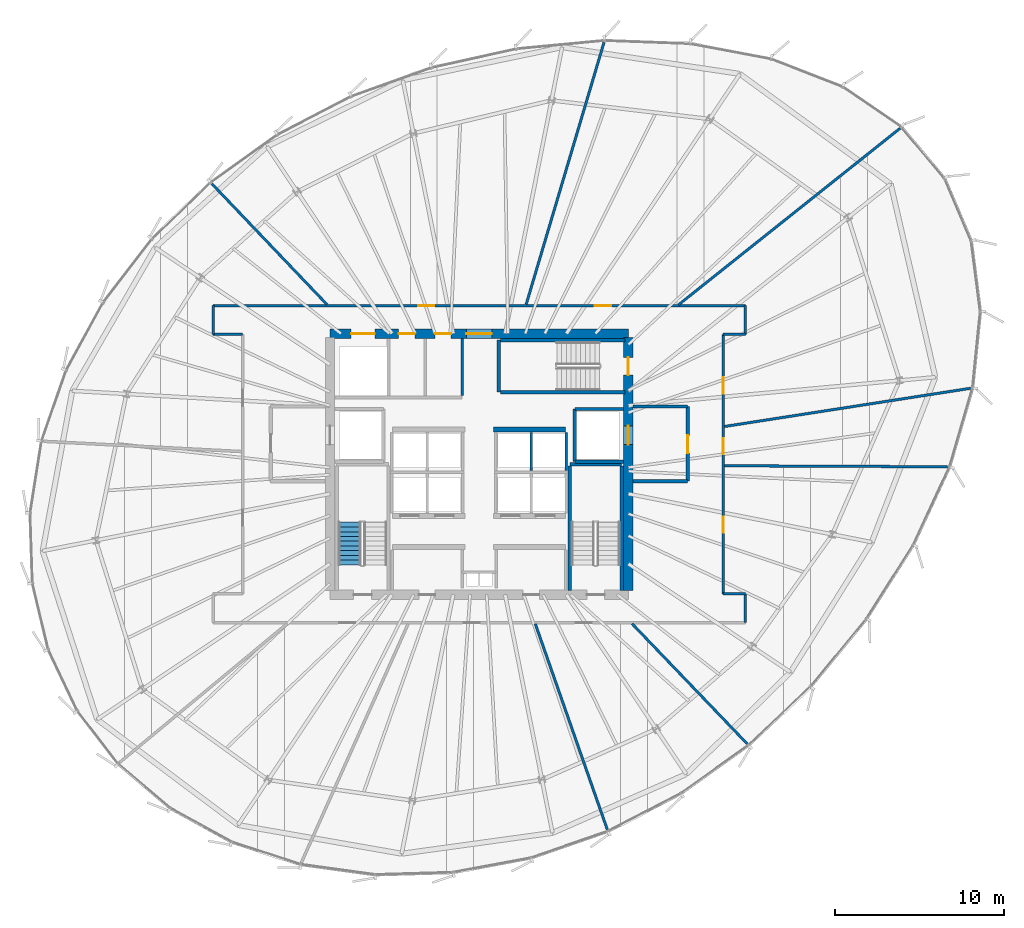
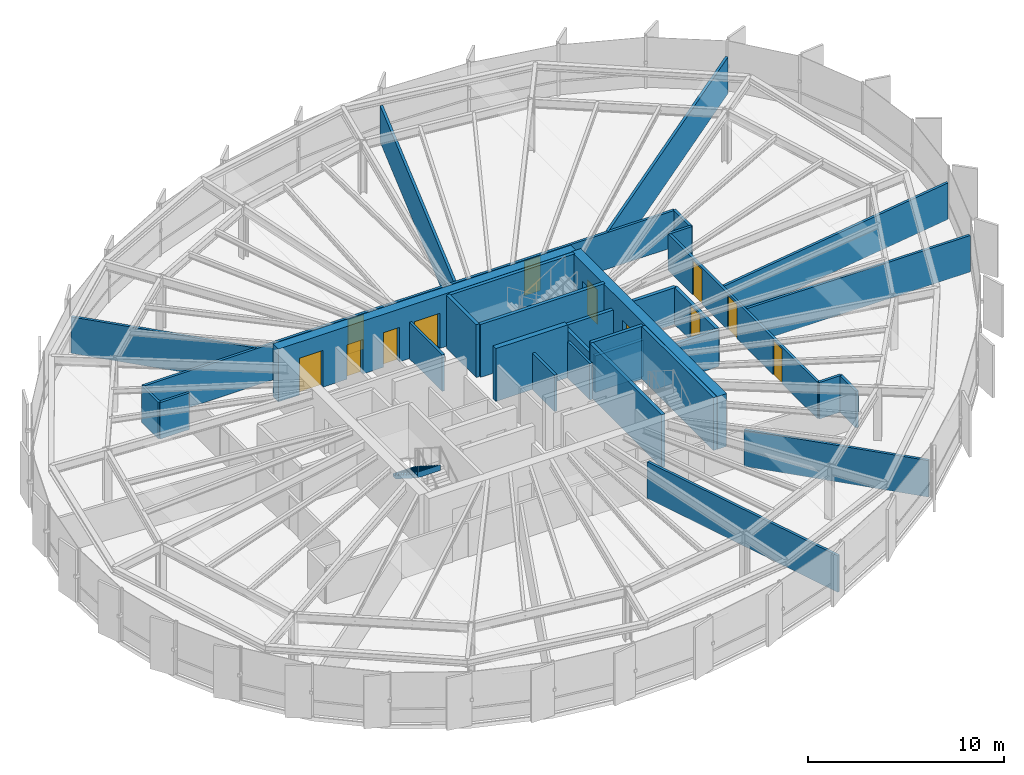
# One storey, part 27 of 32: 33 walls, 12 doors, 1 stair flight, 12 openings, 1 element without a shape of its own.
"""IFC4 building model written with IfcOpenShell, lengths in metres."""

import ifcopenshell
import ifcopenshell.guid

model = None  # the IFC model being written
_history = None  # IfcOwnerHistory: only IFC2X3 demands one
_inside = {}  # id of a spatial element -> (the spatial element, [elements in it])
_under = {}  # id of a project, library or spatial element -> (it, [spatial elements below it])
_declared = {}  # id of a project -> (the project, [libraries it declares])
_typed = {}  # id of a type object -> (the type object, [elements of that type])
_made_of = {}  # id of a material, layer set ... -> (it, [elements and type objects made of it])


def new_model(schema):
    """Start an empty IFC model of exactly this schema.

    Asked for "IFC4X3", IfcOpenShell would pick the latest addendum, in which some entities
    have other attributes; the version numbers below select the first issue.
    IFC2X3 requires an IfcOwnerHistory on every rooted entity: one is made here for all.
    """
    global model, _history
    if schema == "IFC4X3":
        model = ifcopenshell.file(schema_version=(4, 3, 0, 0))
    else:
        model = ifcopenshell.file(schema=schema)
    _inside.clear()
    _under.clear()
    _declared.clear()
    _typed.clear()
    _made_of.clear()
    _history = None
    if model.schema == "IFC2X3":
        org = make("IfcOrganization", Name="unknown")
        user = make(
            "IfcPersonAndOrganization",
            ThePerson=make("IfcPerson", FamilyName="unknown"),
            TheOrganization=org,
        )
        app = make(
            "IfcApplication",
            ApplicationDeveloper=org,
            Version="unknown",
            ApplicationFullName="unknown",
            ApplicationIdentifier="unknown",
        )
        _history = make(
            "IfcOwnerHistory",
            OwningUser=user,
            OwningApplication=app,
            ChangeAction="ADDED",
            CreationDate=0,
        )
    return model


def make(cls, **values):
    """One entity of the class cls with the attributes given. An attribute that is None is left unset."""
    return model.create_entity(
        cls, **{name: value for name, value in values.items() if value is not None}
    )


def rooted(cls, **values):
    """An entity with a GlobalId (a new one), such as an element, a storey or a relation."""
    return make(cls, GlobalId=ifcopenshell.guid.new(), OwnerHistory=_history, **values)


def si_unit(unit_type, name, prefix=None):
    """IfcSIUnit, for example si_unit("LENGTHUNIT", "METRE", prefix="MILLI")."""
    return make("IfcSIUnit", UnitType=unit_type, Prefix=prefix, Name=name)


def assignment(units):
    """IfcUnitAssignment: the units of a project."""
    return None if units is None else make("IfcUnitAssignment", Units=units)


def point(xyz):
    """IfcCartesianPoint."""
    return None if xyz is None else make("IfcCartesianPoint", Coordinates=xyz)


def direction(xyz):
    """IfcDirection."""
    return None if xyz is None else make("IfcDirection", DirectionRatios=xyz)


def frame(location, z_axis=None, x_axis=None):
    """IfcAxis2Placement3D, a coordinate frame: its origin and axes. An axis left out is left unset."""
    return make(
        "IfcAxis2Placement3D",
        Location=point(location),
        Axis=direction(z_axis),
        RefDirection=direction(x_axis),
    )


def frame_2d(location, x_axis=None):
    """IfcAxis2Placement2D, a coordinate frame in the plane: its origin and x axis."""
    return make(
        "IfcAxis2Placement2D", Location=point(location), RefDirection=direction(x_axis)
    )


def origin():
    """The frame at (0, 0, 0) with its axes left unset."""
    return frame((0.0, 0.0, 0.0))


def place(relative_to, where):
    """IfcLocalPlacement: puts the frame where relative to a parent placement (None: the world)."""
    return make(
        "IfcLocalPlacement", PlacementRelTo=relative_to, RelativePlacement=where
    )


def context(
    kind, dimensions, precision=None, world=None, true_north=None, identifier=None
):
    """IfcGeometricRepresentationContext, for example the 3D "Model" context."""
    return make(
        "IfcGeometricRepresentationContext",
        ContextIdentifier=identifier,
        ContextType=kind,
        CoordinateSpaceDimension=dimensions,
        Precision=precision,
        WorldCoordinateSystem=world,
        TrueNorth=true_north,
    )


def subcontext(parent, identifier, kind, view, scale=None):
    """IfcGeometricRepresentationSubContext, for example "Body" below "Model"."""
    return make(
        "IfcGeometricRepresentationSubContext",
        ContextIdentifier=identifier,
        ContextType=kind,
        ParentContext=parent,
        TargetScale=scale,
        TargetView=view,
    )


def project(units=None, contexts=None):
    """IfcProject with its units and contexts."""
    return rooted(
        "IfcProject",
        Name="project",
        RepresentationContexts=contexts,
        UnitsInContext=assignment(units),
    )


def spatial(cls, under=None, at=None, **own):
    """A site, building, storey or space (cls), placed at a placement, below another one or the project."""
    s = rooted(cls, ObjectPlacement=at, **own)
    if under is not None:
        _under.setdefault(under.id(), (under, []))[1].append(s)
    return s


def polyline(points):
    """IfcPolyline through the points."""
    return make("IfcPolyline", Points=[point(p) for p in points])


def profile(cls, at=None, kind="AREA", **sizes):
    """A parametric profile (cls). Its sizes go by their IFC names, for example OverallWidth=200.0."""
    return make(cls, ProfileType=kind, Position=at, **sizes)


def rectangle(**sizes):
    """IfcRectangleProfileDef."""
    return profile("IfcRectangleProfileDef", **sizes)


def outline(outer, holes=None, kind="AREA"):
    """IfcArbitraryClosedProfileDef: a profile drawn as a closed curve; with holes, ...WithVoids."""
    if holes is None:
        return make("IfcArbitraryClosedProfileDef", ProfileType=kind, OuterCurve=outer)
    return make(
        "IfcArbitraryProfileDefWithVoids",
        ProfileType=kind,
        OuterCurve=outer,
        InnerCurves=holes,
    )


def extrude(swept, where, along, depth):
    """IfcExtrudedAreaSolid: the profile swept, set in the frame where, extruded along a direction by depth."""
    return make(
        "IfcExtrudedAreaSolid",
        SweptArea=swept,
        Position=where,
        ExtrudedDirection=direction(along),
        Depth=depth,
    )


def shape(context_of_items, identifier, shape_type, items):
    """IfcShapeRepresentation: the items that make up one representation, for example the "Body"."""
    return make(
        "IfcShapeRepresentation",
        ContextOfItems=context_of_items,
        RepresentationIdentifier=identifier,
        RepresentationType=shape_type,
        Items=items,
    )


def source(mapping_origin, context_of_items, identifier, shape_type, items):
    """IfcRepresentationMap: a shape defined once, which mapped items show again and again."""
    return make(
        "IfcRepresentationMap",
        MappingOrigin=mapping_origin,
        MappedRepresentation=shape(context_of_items, identifier, shape_type, items),
    )


def transform(
    local_origin,
    x_axis=None,
    y_axis=None,
    z_axis=None,
    scale=None,
    scale2=None,
    scale3=None,
    uniform=True,
):
    """IfcCartesianTransformationOperator3D, or its non-uniform kind. x_axis, y_axis, z_axis: its Axis1, 2, 3."""
    if uniform:
        return make(
            "IfcCartesianTransformationOperator3D",
            Axis1=direction(x_axis),
            Axis2=direction(y_axis),
            LocalOrigin=point(local_origin),
            Scale=scale,
            Axis3=direction(z_axis),
        )
    return make(
        "IfcCartesianTransformationOperator3DnonUniform",
        Axis1=direction(x_axis),
        Axis2=direction(y_axis),
        LocalOrigin=point(local_origin),
        Scale=scale,
        Axis3=direction(z_axis),
        Scale2=scale2,
        Scale3=scale3,
    )


def mapped(mapping_source, mapping_target):
    """IfcMappedItem: shows the shape of a source again, moved by a transform."""
    return make(
        "IfcMappedItem", MappingSource=mapping_source, MappingTarget=mapping_target
    )


def material(Name=None, Category=None):
    """IfcMaterial."""
    return make("IfcMaterial", Name=Name, Category=Category)


def layer(
    of_material, thickness, ventilated=None, Name=None, Category=None, Priority=None
):
    """IfcMaterialLayer: one layer of a wall or slab, of a material (None: an air gap)."""
    return make(
        "IfcMaterialLayer",
        Material=of_material,
        LayerThickness=thickness,
        IsVentilated=ventilated,
        Name=Name,
        Category=Category,
        Priority=Priority,
    )


def layer_set(layers, Name=None):
    """IfcMaterialLayerSet."""
    return make("IfcMaterialLayerSet", MaterialLayers=layers, LayerSetName=Name)


def made_of(thing, what):
    """Note that an element or type object is made of a material, layer set ...; save() writes the relation."""
    if what is not None:
        _made_of.setdefault(what.id(), (what, []))[1].append(thing)
    return thing


def type_object(cls, material=None, **own):
    """A type object (cls), such as IfcWallType, which elements share."""
    return made_of(rooted(cls, **own), material)


def element(
    cls,
    number,
    at=None,
    inside=None,
    cuts=None,
    type_object=None,
    material=None,
    context=None,
    identifier="Body",
    shape_type=None,
    held_by="IfcProductDefinitionShape",
    body=None,
    shapes=None,
    **own,
):
    """One element of the class cls, such as IfcWall. Its Tag is "e" and its number.

    at: its placement. inside: the storey or other place that contains it. cuts: it is an
    opening in that element (IfcRelVoidsElement). A single representation is given by context,
    identifier, shape_type and body (its items); several are given by shapes. held_by: the class
    of the entity that holds the representations. save() writes the other relations.
    """
    e = rooted(cls, Tag="e%d" % number, ObjectPlacement=at, **own)
    if body is not None:
        shapes = [shape(context, identifier, shape_type, body)]
    if shapes is not None:
        e.Representation = make(held_by, Representations=shapes)
    if inside is not None:
        _inside.setdefault(inside.id(), (inside, []))[1].append(e)
    if cuts is not None:
        rooted(
            "IfcRelVoidsElement", RelatingBuildingElement=cuts, RelatedOpeningElement=e
        )
    if type_object is not None:
        _typed.setdefault(type_object.id(), (type_object, []))[1].append(e)
    return made_of(e, material)


def fill(opening, filler):
    """IfcRelFillsElement: the door or window that sits in an opening."""
    return rooted(
        "IfcRelFillsElement",
        RelatingOpeningElement=opening,
        RelatedBuildingElement=filler,
    )


def aggregate(whole, parts):
    """IfcRelAggregates: a whole, such as a stair, and the parts it consists of."""
    return rooted("IfcRelAggregates", RelatingObject=whole, RelatedObjects=parts)


def save(model, path):
    """Write the relations noted so far, then the file.

    IfcRelAggregates (storeys below a building ...), IfcRelContainedInSpatialStructure (elements
    in a storey), IfcRelDefinesByType, IfcRelAssociatesMaterial and IfcRelDeclares: one each for
    every whole, place, type object, material and project.
    """
    for whole, parts in _under.values():
        aggregate(whole, parts)
    for where, things in _inside.values():
        rooted(
            "IfcRelContainedInSpatialStructure",
            RelatedElements=things,
            RelatingStructure=where,
        )
    for kind, things in _typed.values():
        rooted("IfcRelDefinesByType", RelatedObjects=things, RelatingType=kind)
    for what, things in _made_of.values():
        rooted("IfcRelAssociatesMaterial", RelatedObjects=things, RelatingMaterial=what)
    for by, libraries in _declared.values():
        rooted("IfcRelDeclares", RelatingContext=by, RelatedDefinitions=libraries)
    model.write(path)


model = new_model("IFC4")

# Units and contexts
model_context = context("Model", 3, precision=1e-05, world=origin(), true_north=direction((0.0, 1.0)))
body_context = subcontext(model_context, "Body", "Model", "MODEL_VIEW")
ifc_project = project(units=[si_unit("LENGTHUNIT", "METRE"), si_unit("AREAUNIT", "SQUARE_METRE"), si_unit("VOLUMEUNIT", "CUBIC_METRE"), si_unit("PLANEANGLEUNIT", "RADIAN"), si_unit("MASSUNIT", "GRAM", prefix="KILO"), si_unit("THERMODYNAMICTEMPERATUREUNIT", "KELVIN")], contexts=[model_context])

# Site, building, storey
site_placement = place(None, origin())
site = spatial("IfcSite", under=ifc_project, at=site_placement, CompositionType="ELEMENT")
building_placement = place(site_placement, origin())
building = spatial("IfcBuilding", under=site, at=building_placement, Name="Kethvar Cultural Tower", CompositionType="ELEMENT")
storey_placement = place(building_placement, frame((0.0, 0.0, 160.75)))
storey = spatial("IfcBuildingStorey", under=building, at=storey_placement, Name="L41", CompositionType="ELEMENT", Elevation=160.75)

# Wall, openings, doors
ifc_material_1 = material(Name="Concrete C60/75", Category="concrete")
ifc_layer_1 = layer(ifc_material_1, 0.550048828125, Name="Concrete C60/75", Category="concrete")
ifc_layer_set_1 = layer_set([ifc_layer_1], Name="Concrete C60/75 (550 mm)")
wall_type_1 = type_object("IfcWallType", Name="WL-CORE-550", PredefinedType="SHEAR", material=ifc_layer_set_1)
wall_1_placement = place(storey_placement, frame((55.60009765625, 35.5, 0.0), z_axis=(0.0, 0.0, 1.0), x_axis=(-1.0, 0.0, 0.0)))
wall_1 = element("IfcWall", 1, at=wall_1_placement, inside=storey, type_object=wall_type_1, Name="L41 Core Shear Wall N", PredefinedType="SHEAR", context=body_context, shape_type="SweptSolid", body=[
    extrude(rectangle(XDim=17.60009765625, YDim=0.550048828125, at=frame_2d((8.800048828125, 0.0))), origin(), (0.0, 0.0, 1.0), 3.300048828125),
])
opening_1_placement = place(wall_1_placement, frame((8.050048828125, 0.0, 0.0)))
opening_1 = element("IfcOpeningElement", 2, at=opening_1_placement, cuts=wall_1, Name="Opening D-L41-LN", PredefinedType="OPENING", context=body_context, shape_type="SweptSolid", body=[
    extrude(rectangle(XDim=1.5, YDim=2.199951171875, at=frame_2d((0.75, 1.10009765625))), frame((0.0, 0.284912109375, 0.0), z_axis=(0.0, -1.0, 0.0), x_axis=(1.0, 0.0, 0.0)), (0.0, 0.0, 1.0), 0.570068359375),
])
opening_2_placement = place(wall_1_placement, frame((14.949951171875, 0.0, 0.0)))
opening_2 = element("IfcOpeningElement", 3, at=opening_2_placement, cuts=wall_1, Name="Opening LD-G1", PredefinedType="OPENING", context=body_context, shape_type="SweptSolid", body=[
    extrude(rectangle(XDim=1.39990234375, YDim=2.300048828125, at=frame_2d((0.699951171875, 1.14990234375))), frame((0.0, 0.284912109375, 0.0), z_axis=(0.0, -1.0, 0.0), x_axis=(1.0, 0.0, 0.0)), (0.0, 0.0, 1.0), 0.570068359375),
])
opening_3_placement = place(wall_1_placement, frame((12.60009765625, 0.0, 0.0)))
opening_3 = element("IfcOpeningElement", 4, at=opening_3_placement, cuts=wall_1, Name="Opening D-L41-W1", PredefinedType="OPENING", context=body_context, shape_type="SweptSolid", body=[
    extrude(rectangle(XDim=0.949951171875, YDim=2.14990234375, at=frame_2d((0.47509765625, 1.074951171875))), frame((0.0, 0.284912109375, 0.0), z_axis=(0.0, -1.0, 0.0), x_axis=(1.0, 0.0, 0.0)), (0.0, 0.0, 1.0), 0.570068359375),
])
opening_4_placement = place(wall_1_placement, frame((10.449951171875, 0.0, 0.0)))
opening_4 = element("IfcOpeningElement", 5, at=opening_4_placement, cuts=wall_1, Name="Opening D-L41-W2", PredefinedType="OPENING", context=body_context, shape_type="SweptSolid", body=[
    extrude(rectangle(XDim=0.949951171875, YDim=2.14990234375, at=frame_2d((0.47509765625, 1.074951171875))), frame((0.0, 0.284912109375, 0.0), z_axis=(0.0, -1.0, 0.0), x_axis=(1.0, 0.0, 0.0)), (0.0, 0.0, 1.0), 0.570068359375),
])
ifc_material_2 = material(Name="Architectural Oak Timber", Category="wood")
door_type_1 = type_object("IfcDoorType", Name="DR-DBL-FD60-1500", OperationType="DOUBLE_DOOR_SINGLE_SWING", PredefinedType="DOOR", material=ifc_material_2)
shared_shape_1 = source(origin(), body_context, "Body", "SweptSolid", [
    extrude(rectangle(XDim=1.5, YDim=2.199951171875, at=frame_2d((0.75, 1.10009765625))), frame((0.0, 0.02490234375, 0.0), z_axis=(0.0, -1.0, 0.0), x_axis=(1.0, 0.0, 0.0)), (0.0, 0.0, 1.0), 0.050048828125),
])
door_1_placement = place(opening_1_placement, origin())
door_1 = element("IfcDoor", 6, at=door_1_placement, inside=storey, type_object=door_type_1, Name="L41 Lift Lobby Concourse Door", OperationType="DOUBLE_DOOR_SINGLE_SWING", OverallHeight=2.199951171875, OverallWidth=1.5, PredefinedType="DOOR", context=body_context, shape_type="MappedRepresentation", body=[
    mapped(shared_shape_1, transform((0.0, 0.0, 0.0), scale=1.0)),
])
fill(opening_1, door_1)
ifc_material_3 = material(Name="Steel S355J2", Category="steel")
door_type_2 = type_object("IfcDoorType", Name="DR-LIFT-SLIDE-1400", OperationType="NOTDEFINED", PredefinedType="DOOR", material=ifc_material_3)
shared_shape_2 = source(origin(), body_context, "Body", "SweptSolid", [
    extrude(rectangle(XDim=1.39990234375, YDim=2.300048828125, at=frame_2d((0.699951171875, 1.14990234375))), frame((0.0, 0.02490234375, 0.0), z_axis=(0.0, -1.0, 0.0), x_axis=(1.0, 0.0, 0.0)), (0.0, 0.0, 1.0), 0.050048828125),
])
door_2_placement = place(opening_2_placement, origin())
door_2 = element("IfcDoor", 7, at=door_2_placement, inside=storey, type_object=door_type_2, Name="L41 Goods Lift Landing Door", OperationType="SLIDING_TO_RIGHT", OverallHeight=2.300048828125, OverallWidth=1.39990234375, PredefinedType="DOOR", context=body_context, shape_type="MappedRepresentation", body=[
    mapped(shared_shape_2, transform((0.0, 0.0, 0.0), scale=1.0)),
])
fill(opening_2, door_2)
door_type_3 = type_object("IfcDoorType", Name="DR-FD30-950", OperationType="NOTDEFINED", PredefinedType="DOOR", material=ifc_material_2)
shared_shape_3 = source(origin(), body_context, "Body", "SweptSolid", [
    extrude(rectangle(XDim=0.949951171875, YDim=2.14990234375, at=frame_2d((0.47509765625, 1.074951171875))), frame((0.0, 0.02490234375, 0.0), z_axis=(0.0, -1.0, 0.0), x_axis=(1.0, 0.0, 0.0)), (0.0, 0.0, 1.0), 0.050048828125),
])
door_3_placement = place(opening_3_placement, origin())
door_3 = element("IfcDoor", 8, at=door_3_placement, inside=storey, type_object=door_type_3, Name="L41 Accessible Washroom Door", OperationType="SINGLE_SWING_LEFT", OverallHeight=2.14990234375, OverallWidth=0.949951171875, PredefinedType="DOOR", context=body_context, shape_type="MappedRepresentation", body=[
    mapped(shared_shape_3, transform((0.0, 0.0, 0.0), scale=1.0)),
])
fill(opening_3, door_3)
door_4_placement = place(opening_4_placement, origin())
door_4 = element("IfcDoor", 9, at=door_4_placement, inside=storey, type_object=door_type_3, Name="L41 Public Washroom Door", OperationType="SINGLE_SWING_RIGHT", OverallHeight=2.14990234375, OverallWidth=0.949951171875, PredefinedType="DOOR", context=body_context, shape_type="MappedRepresentation", body=[
    mapped(shared_shape_3, transform((0.0, 0.0, 0.0), scale=1.0)),
])
fill(opening_4, door_4)

wall_2_placement = place(storey_placement, frame((55.60009765625, 20.340087890625, 0.0), z_axis=(0.0, 0.0, 1.0), x_axis=(0.0, 1.0, 0.0)))
wall_2 = element("IfcWall", 10, at=wall_2_placement, inside=storey, type_object=wall_type_1, Name="L41 Core Shear Wall E", PredefinedType="SHEAR", context=body_context, shape_type="SweptSolid", body=[
    extrude(rectangle(XDim=14.919921875, YDim=0.550048828125, at=frame_2d((7.4599609375, 0.0))), origin(), (0.0, 0.0, 1.0), 3.300048828125),
])
opening_5_placement = place(wall_2_placement, frame((12.7099609375, 0.0, 0.0)))
opening_5 = element("IfcOpeningElement", 11, at=opening_5_placement, cuts=wall_2, Name="Opening D-L41-S3", PredefinedType="OPENING", context=body_context, shape_type="SweptSolid", body=[
    extrude(rectangle(XDim=1.050048828125, YDim=2.14990234375, at=frame_2d((0.52490234375, 1.074951171875))), frame((0.0, 0.284912109375, 0.0), z_axis=(0.0, -1.0, 0.0), x_axis=(1.0, 0.0, 0.0)), (0.0, 0.0, 1.0), 0.570068359375),
])
opening_6_placement = place(wall_2_placement, frame((8.610107421875, 0.0, 0.0)))
opening_6 = element("IfcOpeningElement", 12, at=opening_6_placement, cuts=wall_2, Name="Opening LD-2", PredefinedType="OPENING", context=body_context, shape_type="SweptSolid", body=[
    extrude(rectangle(XDim=1.10009765625, YDim=2.199951171875, at=frame_2d((0.550048828125, 1.10009765625))), frame((0.0, 0.284912109375, 0.0), z_axis=(0.0, -1.0, 0.0), x_axis=(1.0, 0.0, 0.0)), (0.0, 0.0, 1.0), 0.570068359375),
])
door_type_4 = type_object("IfcDoorType", Name="DR-FD60-1050", OperationType="NOTDEFINED", PredefinedType="DOOR", material=ifc_material_3)
shared_shape_4 = source(origin(), body_context, "Body", "SweptSolid", [
    extrude(rectangle(XDim=1.050048828125, YDim=2.14990234375, at=frame_2d((0.52490234375, 1.074951171875))), frame((0.0, 0.02490234375, 0.0), z_axis=(0.0, -1.0, 0.0), x_axis=(1.0, 0.0, 0.0)), (0.0, 0.0, 1.0), 0.050048828125),
])
door_5_placement = place(opening_5_placement, origin())
door_5 = element("IfcDoor", 13, at=door_5_placement, inside=storey, type_object=door_type_4, Name="L41 Exit Stair 3 Door", OperationType="SINGLE_SWING_LEFT", OverallHeight=2.14990234375, OverallWidth=1.050048828125, PredefinedType="DOOR", context=body_context, shape_type="MappedRepresentation", body=[
    mapped(shared_shape_4, transform((0.0, 0.0, 0.0), scale=1.0)),
])
fill(opening_5, door_5)
door_type_5 = type_object("IfcDoorType", Name="DR-LIFT-SLIDE-1100", OperationType="NOTDEFINED", PredefinedType="DOOR", material=ifc_material_3)
shared_shape_5 = source(origin(), body_context, "Body", "SweptSolid", [
    extrude(rectangle(XDim=1.10009765625, YDim=2.199951171875, at=frame_2d((0.550048828125, 1.10009765625))), frame((0.0, 0.02490234375, 0.0), z_axis=(0.0, -1.0, 0.0), x_axis=(1.0, 0.0, 0.0)), (0.0, 0.0, 1.0), 0.050048828125),
])
door_6_placement = place(opening_6_placement, origin())
door_6 = element("IfcDoor", 14, at=door_6_placement, inside=storey, type_object=door_type_5, Name="L41 Firefighting Lift Landing Door FFL-02", OperationType="SLIDING_TO_RIGHT", OverallHeight=2.199951171875, OverallWidth=1.10009765625, PredefinedType="DOOR", context=body_context, shape_type="MappedRepresentation", body=[
    mapped(shared_shape_5, transform((0.0, 0.0, 0.0), scale=1.0)),
])
fill(opening_6, door_6)

# Walls
ifc_material_4 = material(Name="Gypsum Fireboard Partition")
ifc_layer_2 = layer(ifc_material_4, 0.14990234375, Name="Gypsum Fireboard Partition")
ifc_layer_set_2 = layer_set([ifc_layer_2], Name="Gypsum Fireboard Partition (150 mm)")
wall_type_2 = type_object("IfcWallType", Name="WL-FIRE-150", PredefinedType="PARTITIONING", material=ifc_layer_set_2)
for number, where, z_axis, x_axis, name in (
    (15, (49.875, 27.409912109375, 0.0), (0.0, 0.0, 1.0), (0.0, 1.0, 0.0), "L41 High-Rise Lift Shaft Divider E"),
    (16, (51.949951171875, 27.409912109375, 0.0), (0.0, 0.0, 1.0), (0.0, 1.0, 0.0), "L41 High-Rise Lift Shaft Outer Wall E"),
):
    element("IfcWall", number, at=place(storey_placement, frame(where, z_axis=z_axis, x_axis=x_axis)), inside=storey, type_object=wall_type_2, Name=name, PredefinedType="PARTITIONING", context=body_context, shape_type="SweptSolid", body=[
        extrude(rectangle(XDim=2.27001953125, YDim=0.14990234375, at=frame_2d((1.135009765625, 0.0))), origin(), (0.0, 0.0, 1.0), 2.280029296875),
    ])
wall_3_placement = place(storey_placement, frame((45.800048828125, 31.85009765625, 0.0), z_axis=(0.0, 0.0, 1.0), x_axis=(0.0, 1.0, 0.0)))
element("IfcWall", 17, at=wall_3_placement, inside=storey, type_object=wall_type_2, Name="L41 Sanitary Spine Wall", PredefinedType="PARTITIONING", context=body_context, shape_type="SweptSolid", body=[
    extrude(rectangle(XDim=3.364990234375, YDim=0.14990234375, at=frame_2d((1.6826171875, 0.0))), origin(), (0.0, 0.0, 1.0), 2.280029296875),
])
wall_4_placement = place(storey_placement, frame((62.5, 18.449951171875, 0.0), z_axis=(0.0, 0.0, 1.0), x_axis=(0.0, 1.0, 0.0)))
element("IfcWall", 18, at=wall_4_placement, inside=storey, type_object=wall_type_2, Name="L41 Corridor Rated Wall ES", PredefinedType="PARTITIONING", context=body_context, shape_type="SweptSolid", body=[
    extrude(rectangle(XDim=1.699951171875, YDim=0.14990234375, at=frame_2d((0.85009765625, 0.0))), origin(), (0.0, 0.0, 1.0), 2.280029296875),
])
wall_5_placement = place(storey_placement, frame((62.5, 20.14990234375, 0.0), z_axis=(0.0, 0.0, 1.0), x_axis=(-1.0, 0.0, 0.0)))
element("IfcWall", 19, at=wall_5_placement, inside=storey, type_object=wall_type_2, Name="L41 Corridor Rated Wall EST", PredefinedType="PARTITIONING", context=body_context, shape_type="SweptSolid", body=[
    extrude(rectangle(XDim=1.300048828125, YDim=0.14990234375, at=frame_2d((0.64990234375, 0.0))), origin(), (0.0, 0.0, 1.0), 2.280029296875),
])

# Wall, openings, doors
wall_6_placement = place(storey_placement, frame((61.199951171875, 20.14990234375, 0.0), z_axis=(0.0, 0.0, 1.0), x_axis=(0.0, 1.0, 0.0)))
wall_6 = element("IfcWall", 20, at=wall_6_placement, inside=storey, type_object=wall_type_2, Name="L41 Corridor Rated Wall EM", PredefinedType="PARTITIONING", context=body_context, shape_type="SweptSolid", body=[
    extrude(rectangle(XDim=15.300048828125, YDim=0.14990234375, at=frame_2d((7.64990234375, 0.0))), origin(), (0.0, 0.0, 1.0), 2.280029296875),
])
opening_7_placement = place(wall_6_placement, frame((3.59130859375, 0.0, 0.0)))
opening_7 = element("IfcOpeningElement", 21, at=opening_7_placement, cuts=wall_6, Name="Opening D-L41-04", PredefinedType="OPENING", context=body_context, shape_type="SweptSolid", body=[
    extrude(rectangle(XDim=0.949951171875, YDim=2.14990234375, at=frame_2d((0.47509765625, 1.074951171875))), frame((0.0, 0.0849609375, 0.0), z_axis=(0.0, -1.0, 0.0), x_axis=(1.0, 0.0, 0.0)), (0.0, 0.0, 1.0), 0.169921875),
])
opening_8_placement = place(wall_6_placement, frame((8.232421875, 0.0, 0.0)))
opening_8 = element("IfcOpeningElement", 22, at=opening_8_placement, cuts=wall_6, Name="Opening D-L41-05", PredefinedType="OPENING", context=body_context, shape_type="SweptSolid", body=[
    extrude(rectangle(XDim=0.949951171875, YDim=2.14990234375, at=frame_2d((0.47509765625, 1.074951171875))), frame((0.0, 0.0849609375, 0.0), z_axis=(0.0, -1.0, 0.0), x_axis=(1.0, 0.0, 0.0)), (0.0, 0.0, 1.0), 0.169921875),
])
opening_9_placement = place(wall_6_placement, frame((11.814453125, 0.0, 0.0)))
opening_9 = element("IfcOpeningElement", 23, at=opening_9_placement, cuts=wall_6, Name="Opening D-L41-06", PredefinedType="OPENING", context=body_context, shape_type="SweptSolid", body=[
    extrude(rectangle(XDim=0.949951171875, YDim=2.14990234375, at=frame_2d((0.47509765625, 1.074951171875))), frame((0.0, 0.0849609375, 0.0), z_axis=(0.0, -1.0, 0.0), x_axis=(1.0, 0.0, 0.0)), (0.0, 0.0, 1.0), 0.169921875),
])
door_7_placement = place(opening_7_placement, origin())
door_7 = element("IfcDoor", 24, at=door_7_placement, inside=storey, type_object=door_type_3, Name="L41 Policy Research Workspace 04 Door", OperationType="SINGLE_SWING_LEFT", OverallHeight=2.14990234375, OverallWidth=0.949951171875, PredefinedType="DOOR", context=body_context, shape_type="MappedRepresentation", body=[
    mapped(shared_shape_3, transform((0.0, 0.0, 0.0), scale=1.0)),
])
fill(opening_7, door_7)
door_8_placement = place(opening_8_placement, origin())
door_8 = element("IfcDoor", 25, at=door_8_placement, inside=storey, type_object=door_type_3, Name="L41 Museum Design Book Shop 05 Door", OperationType="SINGLE_SWING_RIGHT", OverallHeight=2.14990234375, OverallWidth=0.949951171875, PredefinedType="DOOR", context=body_context, shape_type="MappedRepresentation", body=[
    mapped(shared_shape_3, transform((0.0, 0.0, 0.0), scale=1.0)),
])
fill(opening_8, door_8)
door_9_placement = place(opening_9_placement, origin())
door_9 = element("IfcDoor", 26, at=door_9_placement, inside=storey, type_object=door_type_3, Name="L41 Staff Tea Pantry 06 Door", OperationType="SINGLE_SWING_LEFT", OverallHeight=2.14990234375, OverallWidth=0.949951171875, PredefinedType="DOOR", context=body_context, shape_type="MappedRepresentation", body=[
    mapped(shared_shape_3, transform((0.0, 0.0, 0.0), scale=1.0)),
])
fill(opening_9, door_9)

# Walls
wall_7_placement = place(storey_placement, frame((61.199951171875, 35.449951171875, 0.0), z_axis=(0.0, 0.0, 1.0), x_axis=(1.0, 0.0, 0.0)))
element("IfcWall", 27, at=wall_7_placement, inside=storey, type_object=wall_type_2, Name="L41 Corridor Rated Wall ENT", PredefinedType="PARTITIONING", context=body_context, shape_type="SweptSolid", body=[
    extrude(rectangle(XDim=1.300048828125, YDim=0.14990234375, at=frame_2d((0.64990234375, 0.0))), origin(), (0.0, 0.0, 1.0), 2.280029296875),
])
wall_8_placement = place(storey_placement, frame((62.5, 35.449951171875, 0.0), z_axis=(0.0, 0.0, 1.0), x_axis=(0.0, 1.0, 0.0)))
element("IfcWall", 28, at=wall_8_placement, inside=storey, type_object=wall_type_2, Name="L41 Corridor Rated Wall EN", PredefinedType="PARTITIONING", context=body_context, shape_type="SweptSolid", body=[
    extrude(rectangle(XDim=1.699951171875, YDim=0.14990234375, at=frame_2d((0.85009765625, 0.0))), origin(), (0.0, 0.0, 1.0), 2.280029296875),
])

# Wall, openings, doors
wall_9_placement = place(storey_placement, frame((62.5, 37.14990234375, 0.0), z_axis=(0.0, 0.0, 1.0), x_axis=(-1.0, 0.0, 0.0)))
wall_9 = element("IfcWall", 29, at=wall_9_placement, inside=storey, type_object=wall_type_2, Name="L41 Corridor Rated Wall N", PredefinedType="PARTITIONING", context=body_context, shape_type="SweptSolid", body=[
    extrude(rectangle(XDim=31.39990234375, YDim=0.14990234375, at=frame_2d((15.699951171875, 0.0))), origin(), (0.0, 0.0, 1.0), 2.280029296875),
])
opening_10_placement = place(wall_9_placement, frame((7.916748046875, 0.0, 0.0)))
opening_10 = element("IfcOpeningElement", 30, at=opening_10_placement, cuts=wall_9, Name="Opening D-L41-07", PredefinedType="OPENING", context=body_context, shape_type="SweptSolid", body=[
    extrude(rectangle(XDim=0.949951171875, YDim=2.14990234375, at=frame_2d((0.47509765625, 1.074951171875))), frame((0.0, 0.0849609375, 0.0), z_axis=(0.0, -1.0, 0.0), x_axis=(1.0, 0.0, 0.0)), (0.0, 0.0, 1.0), 0.169921875),
])
opening_11_placement = place(wall_9_placement, frame((18.3544921875, 0.0, 0.0)))
opening_11 = element("IfcOpeningElement", 31, at=opening_11_placement, cuts=wall_9, Name="Opening D-L41-08", PredefinedType="OPENING", context=body_context, shape_type="SweptSolid", body=[
    extrude(rectangle(XDim=0.949951171875, YDim=2.14990234375, at=frame_2d((0.47509765625, 1.074951171875))), frame((0.0, 0.0849609375, 0.0), z_axis=(0.0, -1.0, 0.0), x_axis=(1.0, 0.0, 0.0)), (0.0, 0.0, 1.0), 0.169921875),
])
door_10_placement = place(opening_10_placement, origin())
door_10 = element("IfcDoor", 32, at=door_10_placement, inside=storey, type_object=door_type_3, Name="L41 Publication Archive Store 07 Door", OperationType="SINGLE_SWING_RIGHT", OverallHeight=2.14990234375, OverallWidth=0.949951171875, PredefinedType="DOOR", context=body_context, shape_type="MappedRepresentation", body=[
    mapped(shared_shape_3, transform((0.0, 0.0, 0.0), scale=1.0)),
])
fill(opening_10, door_10)
door_11_placement = place(opening_11_placement, origin())
door_11 = element("IfcDoor", 33, at=door_11_placement, inside=storey, type_object=door_type_3, Name="L41 Cultural Lecture Room 08 Door", OperationType="SINGLE_SWING_LEFT", OverallHeight=2.14990234375, OverallWidth=0.949951171875, PredefinedType="DOOR", context=body_context, shape_type="MappedRepresentation", body=[
    mapped(shared_shape_3, transform((0.0, 0.0, 0.0), scale=1.0)),
])
fill(opening_11, door_11)

# Walls
wall_10_placement = place(storey_placement, frame((31.10009765625, 37.14990234375, 0.0), z_axis=(0.0, 0.0, 1.0), x_axis=(0.0, -1.0, 0.0)))
element("IfcWall", 34, at=wall_10_placement, inside=storey, type_object=wall_type_2, Name="L41 Corridor Rated Wall WN", PredefinedType="PARTITIONING", context=body_context, shape_type="SweptSolid", body=[
    extrude(rectangle(XDim=1.699951171875, YDim=0.14990234375, at=frame_2d((0.85009765625, 0.0))), origin(), (0.0, 0.0, 1.0), 2.280029296875),
])
wall_11_placement = place(storey_placement, frame((31.10009765625, 35.449951171875, 0.0), z_axis=(0.0, 0.0, 1.0), x_axis=(1.0, 0.0, 0.0)))
element("IfcWall", 35, at=wall_11_placement, inside=storey, type_object=wall_type_2, Name="L41 Corridor Rated Wall WNT", PredefinedType="PARTITIONING", context=body_context, shape_type="SweptSolid", body=[
    extrude(rectangle(XDim=1.75, YDim=0.14990234375, at=frame_2d((0.875, 0.0))), origin(), (0.0, 0.0, 1.0), 2.280029296875),
])
ifc_material_5 = material(Name="Concrete C40/50", Category="concrete")
ifc_layer_3 = layer(ifc_material_5, 0.199951171875, Name="Concrete C40/50", Category="concrete")
ifc_layer_set_3 = layer_set([ifc_layer_3], Name="Concrete C40/50 (200 mm)")
wall_type_3 = type_object("IfcWallType", Name="WL-FIRE-200", PredefinedType="PARTITIONING", material=ifc_layer_set_3)
wall_12_placement = place(storey_placement, frame((52.449951171875, 27.949951171875, 0.0), z_axis=(0.0, 0.0, 1.0), x_axis=(0.0, 1.0, 0.0)))
element("IfcWall", 36, at=wall_12_placement, inside=storey, type_object=wall_type_3, Name="L41 FFL-02 Shaft Inner Wall", PredefinedType="PARTITIONING", context=body_context, shape_type="SweptSolid", body=[
    extrude(rectangle(XDim=3.10009765625, YDim=0.199951171875, at=frame_2d((1.550048828125, 0.0))), origin(), (0.0, 0.0, 1.0), 2.280029296875),
])
for number, where, z_axis, x_axis, name in (
    (37, (52.449951171875, 27.949951171875, 0.0), (0.0, 0.0, 1.0), (1.0, 0.0, 0.0), "L41 FFL-02 Shaft South Wall"),
    (38, (52.449951171875, 31.050048828125, 0.0), (0.0, 0.0, 1.0), (1.0, 0.0, 0.0), "L41 FFL-02 Shaft North Wall"),
):
    element("IfcWall", number, at=place(storey_placement, frame(where, z_axis=z_axis, x_axis=x_axis)), inside=storey, type_object=wall_type_3, Name=name, PredefinedType="PARTITIONING", context=body_context, shape_type="SweptSolid", body=[
        extrude(rectangle(XDim=2.864990234375, YDim=0.199951171875, at=frame_2d((1.4326171875, 0.0))), origin(), (0.0, 0.0, 1.0), 2.280029296875),
    ])

# Wall, opening, door
wall_13_placement = place(storey_placement, frame((59.10009765625, 26.800048828125, 0.0), z_axis=(0.0, 0.0, 1.0), x_axis=(0.0, 1.0, 0.0)))
wall_13 = element("IfcWall", 39, at=wall_13_placement, inside=storey, type_object=wall_type_3, Name="L41 Firefighting Lobby 2 Wall", PredefinedType="PARTITIONING", context=body_context, shape_type="SweptSolid", body=[
    extrude(rectangle(XDim=4.39990234375, YDim=0.199951171875, at=frame_2d((2.199951171875, 0.0))), origin(), (0.0, 0.0, 1.0), 2.280029296875),
])
opening_12_placement = place(wall_13_placement, frame((1.64990234375, 0.0, 0.0)))
opening_12 = element("IfcOpeningElement", 40, at=opening_12_placement, cuts=wall_13, Name="Opening D-L41-F2", PredefinedType="OPENING", context=body_context, shape_type="SweptSolid", body=[
    extrude(rectangle(XDim=1.050048828125, YDim=2.14990234375, at=frame_2d((0.52490234375, 1.074951171875))), frame((0.0, 0.10986328125, 0.0), z_axis=(0.0, -1.0, 0.0), x_axis=(1.0, 0.0, 0.0)), (0.0, 0.0, 1.0), 0.219970703125),
])
door_12_placement = place(opening_12_placement, origin())
door_12 = element("IfcDoor", 41, at=door_12_placement, inside=storey, type_object=door_type_4, Name="L41 Firefighting Lobby 2 Fire Door", OperationType="SINGLE_SWING_LEFT", OverallHeight=2.14990234375, OverallWidth=1.050048828125, PredefinedType="DOOR", context=body_context, shape_type="MappedRepresentation", body=[
    mapped(shared_shape_4, transform((0.0, 0.0, 0.0), scale=1.0)),
])
fill(opening_12, door_12)

# Walls
for number, where, z_axis, x_axis, name in (
    (42, (55.885009765625, 26.800048828125, 0.0), (0.0, 0.0, 1.0), (1.0, 0.0, 0.0), "L41 FF Lobby 2 South Wall"),
    (43, (55.885009765625, 31.199951171875, 0.0), (0.0, 0.0, 1.0), (1.0, 0.0, 0.0), "L41 FF Lobby 2 North Wall"),
):
    element("IfcWall", number, at=place(storey_placement, frame(where, z_axis=z_axis, x_axis=x_axis)), inside=storey, type_object=wall_type_3, Name=name, PredefinedType="PARTITIONING", context=body_context, shape_type="SweptSolid", body=[
        extrude(rectangle(XDim=3.215087890625, YDim=0.199951171875, at=frame_2d((1.607421875, 0.0))), origin(), (0.0, 0.0, 1.0), 2.280029296875),
    ])
ifc_material_6 = material(Name="Gypsum Acoustic Partition")
ifc_layer_4 = layer(ifc_material_6, 0.14990234375, Name="Gypsum Acoustic Partition")
ifc_layer_set_4 = layer_set([ifc_layer_4], Name="Gypsum Acoustic Partition (150 mm)")
wall_type_4 = type_object("IfcWallType", Name="WL-PART-150", PredefinedType="PARTITIONING", material=ifc_layer_set_4)
wall_14_placement = place(storey_placement, frame((50.112060546875, 18.37451171875, 0.0), z_axis=(0.0, 0.0, 1.0), x_axis=(0.330397803149, -0.943841772584, 0.0)))
element("IfcWall", 44, at=wall_14_placement, inside=storey, type_object=wall_type_4, Name="L41 Radial Partition Wall 03", PredefinedType="PARTITIONING", context=body_context, shape_type="SweptSolid", body=[
    extrude(rectangle(XDim=12.853759765625, YDim=0.14990234375, at=frame_2d((6.4267578125, 0.0))), origin(), (0.0, 0.0, 1.0), 2.280029296875),
])
wall_15_placement = place(storey_placement, frame((55.813232421875, 18.39208984375, 0.0), z_axis=(0.0, 0.0, 1.0), x_axis=(0.691889713395, -0.722003202554, 0.0)))
element("IfcWall", 45, at=wall_15_placement, inside=storey, type_object=wall_type_4, Name="L41 Radial Partition Wall 04", PredefinedType="PARTITIONING", context=body_context, shape_type="SweptSolid", body=[
    extrude(rectangle(XDim=9.826171875, YDim=0.14990234375, at=frame_2d((4.9130859375, 0.0))), origin(), (0.0, 0.0, 1.0), 2.280029296875),
])
wall_16_placement = place(storey_placement, frame((61.280029296875, 27.702392578125, 0.0), z_axis=(0.0, 0.0, 1.0), x_axis=(0.999989924384, -0.004489001126, 0.0)))
element("IfcWall", 46, at=wall_16_placement, inside=storey, type_object=wall_type_4, Name="L41 Radial Partition Wall 05", PredefinedType="PARTITIONING", context=body_context, shape_type="SweptSolid", body=[
    extrude(rectangle(XDim=13.16162109375, YDim=0.14990234375, at=frame_2d((6.580810546875, 0.0))), origin(), (0.0, 0.0, 1.0), 2.280029296875),
])
wall_17_placement = place(storey_placement, frame((61.279052734375, 30.02099609375, 0.0), z_axis=(0.0, 0.0, 1.0), x_axis=(0.988161445596, 0.153417591681, 0.0)))
element("IfcWall", 47, at=wall_17_placement, inside=storey, type_object=wall_type_4, Name="L41 Radial Partition Wall 06", PredefinedType="PARTITIONING", context=body_context, shape_type="SweptSolid", body=[
    extrude(rectangle(XDim=14.69775390625, YDim=0.14990234375, at=frame_2d((7.348876953125, 0.0))), origin(), (0.0, 0.0, 1.0), 2.280029296875),
])
wall_18_placement = place(storey_placement, frame((58.55859375, 37.19970703125, 0.0), z_axis=(0.0, 0.0, 1.0), x_axis=(0.782274609012, 0.62293373331, 0.0)))
element("IfcWall", 48, at=wall_18_placement, inside=storey, type_object=wall_type_4, Name="L41 Radial Partition Wall 07", PredefinedType="PARTITIONING", context=body_context, shape_type="SweptSolid", body=[
    extrude(rectangle(XDim=16.71630859375, YDim=0.14990234375, at=frame_2d((8.358154296875, 0.0))), origin(), (0.0, 0.0, 1.0), 2.280029296875),
])
wall_19_placement = place(storey_placement, frame((49.57470703125, 37.226806640625, 0.0), z_axis=(0.0, 0.0, 1.0), x_axis=(0.284737466757, 0.958605536717, 0.0)))
element("IfcWall", 49, at=wall_19_placement, inside=storey, type_object=wall_type_4, Name="L41 Radial Partition Wall 08", PredefinedType="PARTITIONING", context=body_context, shape_type="SweptSolid", body=[
    extrude(rectangle(XDim=16.120361328125, YDim=0.14990234375, at=frame_2d((8.06005859375, 0.0))), origin(), (0.0, 0.0, 1.0), 2.280029296875),
])
wall_20_placement = place(storey_placement, frame((37.828857421875, 37.2080078125, 0.0), z_axis=(0.0, 0.0, 1.0), x_axis=(-0.690078052701, 0.723734952299, 0.0)))
element("IfcWall", 50, at=wall_20_placement, inside=storey, type_object=wall_type_4, Name="L41 Radial Partition Wall 09", PredefinedType="PARTITIONING", context=body_context, shape_type="SweptSolid", body=[
    extrude(rectangle(XDim=9.843505859375, YDim=0.14990234375, at=frame_2d((4.921875, 0.0))), origin(), (0.0, 0.0, 1.0), 2.280029296875),
])
ifc_material_7 = material(Name="Concrete C50/60", Category="concrete")
ifc_layer_5 = layer(ifc_material_7, 0.300048828125, Name="Concrete C50/60", Category="concrete")
ifc_layer_set_5 = layer_set([ifc_layer_5], Name="Concrete C50/60 (300 mm)")
wall_type_5 = type_object("IfcWallType", Name="WL-SHAFT-300", PredefinedType="SHEAR", material=ifc_layer_set_5)
wall_21_placement = place(storey_placement, frame((47.64990234375, 29.85009765625, 0.0), z_axis=(0.0, 0.0, 1.0), x_axis=(1.0, 0.0, 0.0)))
element("IfcWall", 51, at=wall_21_placement, inside=storey, type_object=wall_type_5, Name="L41 Core Lift Spine Wall MID3E", PredefinedType="SHEAR", context=body_context, shape_type="SweptSolid", body=[
    extrude(rectangle(XDim=4.25, YDim=0.300048828125, at=frame_2d((2.125, 0.0))), origin(), (0.0, 0.0, 1.0), 3.300048828125),
])
ifc_layer_6 = layer(ifc_material_7, 0.199951171875, Name="Concrete C50/60", Category="concrete")
ifc_layer_set_6 = layer_set([ifc_layer_6], Name="Concrete C50/60 (200 mm)")
wall_type_6 = type_object("IfcWallType", Name="WL-STSHAFT-200", PredefinedType="SHEAR", material=ifc_layer_set_6)
wall_22_placement = place(storey_placement, frame((52.14990234375, 27.800048828125, 0.0), z_axis=(0.0, 0.0, 1.0), x_axis=(1.0, 0.0, 0.0)))
element("IfcWall", 52, at=wall_22_placement, inside=storey, type_object=wall_type_6, Name="L41 ST-02 Stair Shaft Wall FAR", PredefinedType="SHEAR", context=body_context, shape_type="SweptSolid", body=[
    extrude(rectangle(XDim=3.06005859375, YDim=0.199951171875, at=frame_2d((1.530029296875, 0.0))), origin(), (0.0, 0.0, 1.0), 3.300048828125),
])
for number, where, z_axis, x_axis, name in (
    (53, (55.2099609375, 27.699951171875, 0.0), (0.0, 0.0, 1.0), (0.0, -1.0, 0.0), "L41 ST-02 Stair Shaft Wall LEFT"),
    (54, (52.14990234375, 20.35009765625, 0.0), (0.0, 0.0, 1.0), (0.0, 1.0, 0.0), "L41 ST-02 Stair Shaft Wall RIGHT"),
):
    element("IfcWall", number, at=place(storey_placement, frame(where, z_axis=z_axis, x_axis=x_axis)), inside=storey, type_object=wall_type_6, Name=name, PredefinedType="SHEAR", context=body_context, shape_type="SweptSolid", body=[
        extrude(rectangle(XDim=7.349853515625, YDim=0.199951171875, at=frame_2d((3.6748046875, 0.0))), origin(), (0.0, 0.0, 1.0), 3.300048828125),
    ])
wall_23_placement = place(storey_placement, frame((47.949951171875, 32.050048828125, 0.0), z_axis=(0.0, 0.0, 1.0), x_axis=(0.0, 1.0, 0.0)))
element("IfcWall", 55, at=wall_23_placement, inside=storey, type_object=wall_type_6, Name="L41 ST-03 Stair Shaft Wall FAR", PredefinedType="SHEAR", context=body_context, shape_type="SweptSolid", body=[
    extrude(rectangle(XDim=3.06005859375, YDim=0.199951171875, at=frame_2d((1.530029296875, 0.0))), origin(), (0.0, 0.0, 1.0), 3.300048828125),
])
for number, where, z_axis, x_axis, name in (
    (56, (48.050048828125, 35.110107421875, 0.0), (0.0, 0.0, 1.0), (1.0, 0.0, 0.0), "L41 ST-03 Stair Shaft Wall LEFT"),
    (57, (55.39990234375, 32.050048828125, 0.0), (0.0, 0.0, 1.0), (-1.0, 0.0, 0.0), "L41 ST-03 Stair Shaft Wall RIGHT"),
):
    element("IfcWall", number, at=place(storey_placement, frame(where, z_axis=z_axis, x_axis=x_axis)), inside=storey, type_object=wall_type_6, Name=name, PredefinedType="SHEAR", context=body_context, shape_type="SweptSolid", body=[
        extrude(rectangle(XDim=7.349853515625, YDim=0.199951171875, at=frame_2d((3.6748046875, 0.0))), origin(), (0.0, 0.0, 1.0), 3.300048828125),
    ])

# Stair, stair flight
stair_type = type_object("IfcStairType", Name="ST-DOGLEG-135", PredefinedType="HALF_TURN_STAIR", material=ifc_material_5)
stair_placement = place(storey_placement, origin())
stair = element("IfcStair", 58, at=stair_placement, inside=storey, type_object=stair_type, Name="L41 Core Exit Stair 1", PredefinedType="HALF_TURN_STAIR")
stair_flight_type = type_object("IfcStairFlightType", Name="FL-STRAIGHT-135", PredefinedType="STRAIGHT", material=ifc_material_5)
stair_flight_placement = place(storey_placement, frame((39.1650390625, 24.3701171875, 1.77490234375), z_axis=(0.0, 0.0, 1.0), x_axis=(0.0, -1.0, 0.0)))
stair_flight = element("IfcStairFlight", 59, at=stair_flight_placement, type_object=stair_flight_type, Name="ST-01 flight 2", NumberOfRisers=10, NumberOfTreads=9, PredefinedType="STRAIGHT", RiserHeight=0.1775, TreadLength=0.28, context=body_context, shape_type="SweptSolid", body=[
    extrude(outline(polyline([(-0.0009765625, -0.0009765625), (-0.0009765625, 0.177490234375), (0.280029296875, 0.177490234375), (0.280029296875, 0.35498046875), (0.56005859375, 0.35498046875), (0.56005859375, 0.532470703125), (0.840087890625, 0.532470703125), (0.840087890625, 0.7099609375), (1.1201171875, 0.7099609375), (1.1201171875, 0.887451171875), (1.39990234375, 0.887451171875), (1.39990234375, 1.06494140625), (1.679931640625, 1.06494140625), (1.679931640625, 1.242431640625), (1.9599609375, 1.242431640625), (1.9599609375, 1.419921875), (2.239990234375, 1.419921875), (2.239990234375, 1.597412109375), (2.52001953125, 1.597412109375), (2.52001953125, 1.77490234375), (2.52099609375, 1.77490234375), (2.52099609375, 1.419921875), (0.280029296875, 0.0), (0.0, -0.0009765625), (-0.0009765625, -0.0009765625)])), frame((0.0, 0.675048828125, 0.0), z_axis=(0.0, -1.0, 0.0), x_axis=(1.0, 0.0, 0.0)), (0.0, 0.0, 1.0), 1.35009765625),
])
aggregate(stair, [stair_flight])

save(model, "model.ifc")
